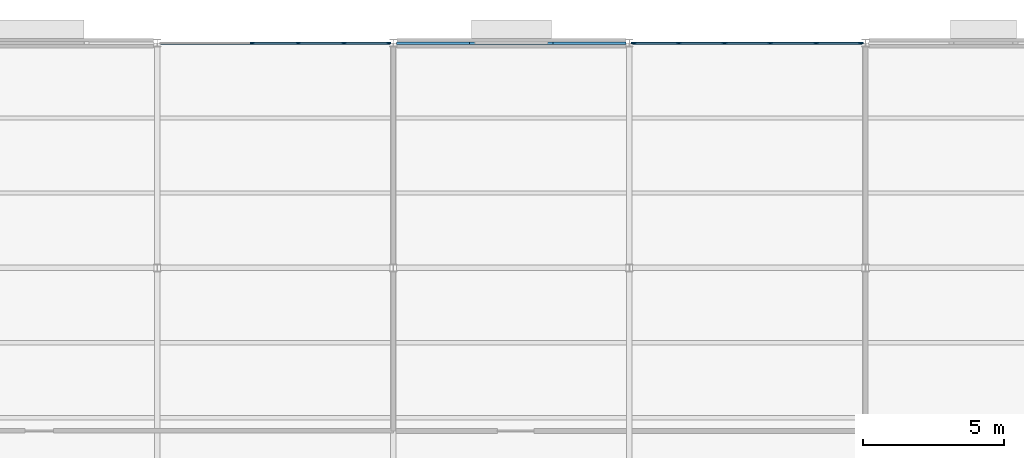
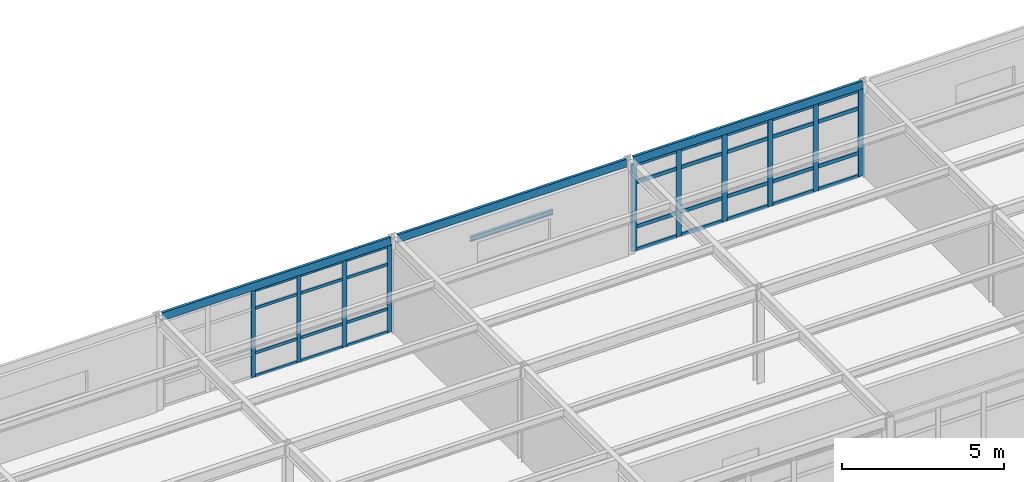
# One storey, part 31 of 53: 42 members, 4 beams, 2 elements without a shape of their own.
"""IFC4 building model written with IfcOpenShell, lengths in metres."""

from ifc_helpers import new_model, si_unit, direction, frame, origin, origin_2d, place, context, subcontext, project, spatial, rectangle, i_section, u_section, extrude, material, layer, layer_set, material_profile, profile_set, type_object, element, aggregate, save


model = new_model("IFC4")

# Units and contexts
model_context = context("Model", 3, precision=1e-05, world=origin(), true_north=direction((0.0, 1.0)))
body_context = subcontext(model_context, "Body", "Model", "MODEL_VIEW")
ifc_project = project(units=[si_unit("LENGTHUNIT", "METRE"), si_unit("AREAUNIT", "SQUARE_METRE"), si_unit("VOLUMEUNIT", "CUBIC_METRE"), si_unit("PLANEANGLEUNIT", "RADIAN"), si_unit("MASSUNIT", "GRAM", prefix="KILO")], contexts=[model_context])

# Site, building, storey
site_placement = place(None, origin())
site = spatial("IfcSite", under=ifc_project, at=site_placement, CompositionType="ELEMENT")
building_placement = place(site_placement, origin())
building = spatial("IfcBuilding", under=site, at=building_placement, Name="Kranzveld Transit Interchange", CompositionType="ELEMENT")
storey_placement = place(building_placement, frame((0.0, 0.0, 13.360107421875)))
storey = spatial("IfcBuildingStorey", under=building, at=storey_placement, Name="L03", CompositionType="ELEMENT", Elevation=13.360107421875)

# Curtain wall, members
ifc_material_1 = material(Name="Bronze-anodised thermally broken aluminium", Category="aluminium")
ifc_layer_1 = layer(ifc_material_1, 0.14990234375)
ifc_layer_set_1 = layer_set([ifc_layer_1], Name="Bronze-anodised thermally broken aluminium")
curtain_wall_type_1 = type_object("IfcCurtainWallType", Name="Public Passage Clerestory Screen CW-4", PredefinedType="USERDEFINED", material=ifc_layer_set_1)
curtain_wall_1_placement = place(storey_placement, origin())
curtain_wall_1 = element("IfcCurtainWall", 1, at=curtain_wall_1_placement, inside=storey, type_object=curtain_wall_type_1, Name="L03 Curtain Wall 16/Q-17/Q", ObjectType="CURTAIN WALL", PredefinedType="USERDEFINED")
ifc_material_2 = material(Name="Bronze-anodised thermally broken aluminium", Category="aluminium")
ifc_material_profile_1 = material_profile(ifc_material_2, rectangle(XDim=0.06005859375, YDim=0.14990234375, at=origin_2d()), Name="ALU MULLION 60x150")
ifc_profile_set_1 = profile_set([ifc_material_profile_1], Name="Bronze-anodised thermally broken aluminium")
member_type_1 = type_object("IfcMemberType", Name="Curtain Wall Mullion 60x150 Alu", PredefinedType="MULLION", material=ifc_profile_set_1)
member_1_placement = place(storey_placement, frame((129.385498046875, 112.0, 0.0), z_axis=(0.0, 0.0, 1.0), x_axis=(0.0, 1.0, 0.0)))
member_1 = element("IfcMember", 2, at=member_1_placement, type_object=member_type_1, Name="CW-4 mullion 3", PredefinedType="MULLION", context=body_context, shape_type="SweptSolid", body=[
    extrude(rectangle(XDim=0.06005859375, YDim=0.14990234375, at=origin_2d()), origin(), (0.0, 0.0, 1.0), 3.27978515625),
])
member_2_placement = place(storey_placement, frame((131.014404296875, 112.0, 0.0), z_axis=(0.0, 0.0, 1.0), x_axis=(0.0, 1.0, 0.0)))
member_2 = element("IfcMember", 3, at=member_2_placement, type_object=member_type_1, Name="CW-4 mullion 4", PredefinedType="MULLION", context=body_context, shape_type="SweptSolid", body=[
    extrude(rectangle(XDim=0.06005859375, YDim=0.14990234375, at=origin_2d()), origin(), (0.0, 0.0, 1.0), 3.27978515625),
])
member_3_placement = place(storey_placement, frame((132.64306640625, 112.0, 0.0), z_axis=(0.0, 0.0, 1.0), x_axis=(0.0, 1.0, 0.0)))
member_3 = element("IfcMember", 4, at=member_3_placement, type_object=member_type_1, Name="CW-4 mullion 5", PredefinedType="MULLION", context=body_context, shape_type="SweptSolid", body=[
    extrude(rectangle(XDim=0.06005859375, YDim=0.14990234375, at=origin_2d()), origin(), (0.0, 0.0, 1.0), 3.27978515625),
])
member_4_placement = place(storey_placement, frame((134.241943359375, 112.0, 0.0), z_axis=(0.0, 0.0, 1.0), x_axis=(0.0, 1.0, 0.0)))
member_4 = element("IfcMember", 5, at=member_4_placement, type_object=member_type_1, Name="CW-4 mullion 6", PredefinedType="MULLION", context=body_context, shape_type="SweptSolid", body=[
    extrude(rectangle(XDim=0.06005859375, YDim=0.14990234375, at=origin_2d()), origin(), (0.0, 0.0, 1.0), 3.27978515625),
])

ifc_material_3 = material(Name="Bronze-anodised thermally broken aluminium", Category="aluminium")
ifc_layer_2 = layer(ifc_material_3, 0.18505859375)
ifc_layer_set_2 = layer_set([ifc_layer_2], Name="Bronze-anodised thermally broken aluminium")
curtain_wall_type_2 = type_object("IfcCurtainWallType", Name="Control Crown Observation Facade CW-5", PredefinedType="USERDEFINED", material=ifc_layer_set_2)
curtain_wall_2_placement = place(storey_placement, origin())
curtain_wall_2 = element("IfcCurtainWall", 6, at=curtain_wall_2_placement, inside=storey, type_object=curtain_wall_type_2, Name="L03 Curtain Wall 18/Q-19/Q", ObjectType="CURTAIN WALL", PredefinedType="USERDEFINED")
ifc_material_4 = material(Name="Bronze-anodised thermally broken aluminium", Category="aluminium")
ifc_material_profile_2 = material_profile(ifc_material_4, rectangle(XDim=0.06494140625, YDim=0.179931640625, at=origin_2d()), Name="ALU MULLION 65x180")
ifc_profile_set_2 = profile_set([ifc_material_profile_2], Name="Bronze-anodised thermally broken aluminium")
member_type_2 = type_object("IfcMemberType", Name="Curtain Wall Mullion 65x180 Alu", PredefinedType="MULLION", material=ifc_profile_set_2)
member_5_placement = place(storey_placement, frame((142.960693359375, 112.0, 0.0), z_axis=(0.0, 0.0, 1.0), x_axis=(0.0, 1.0, 0.0)))
member_5 = element("IfcMember", 7, at=member_5_placement, type_object=member_type_2, Name="CW-5 mullion 1", PredefinedType="MULLION", context=body_context, shape_type="SweptSolid", body=[
    extrude(rectangle(XDim=0.06494140625, YDim=0.179931640625, at=origin_2d()), origin(), (0.0, 0.0, 1.0), 3.27978515625),
])
member_6_placement = place(storey_placement, frame((144.556884765625, 112.0, 0.0), z_axis=(0.0, 0.0, 1.0), x_axis=(0.0, 1.0, 0.0)))
member_6 = element("IfcMember", 8, at=member_6_placement, type_object=member_type_2, Name="CW-5 mullion 2", PredefinedType="MULLION", context=body_context, shape_type="SweptSolid", body=[
    extrude(rectangle(XDim=0.06494140625, YDim=0.179931640625, at=origin_2d()), origin(), (0.0, 0.0, 1.0), 3.27978515625),
])
member_7_placement = place(storey_placement, frame((146.185546875, 112.0, 0.0), z_axis=(0.0, 0.0, 1.0), x_axis=(0.0, 1.0, 0.0)))
member_7 = element("IfcMember", 9, at=member_7_placement, type_object=member_type_2, Name="CW-5 mullion 3", PredefinedType="MULLION", context=body_context, shape_type="SweptSolid", body=[
    extrude(rectangle(XDim=0.06494140625, YDim=0.179931640625, at=origin_2d()), origin(), (0.0, 0.0, 1.0), 3.27978515625),
])
member_8_placement = place(storey_placement, frame((147.814453125, 112.0, 0.0), z_axis=(0.0, 0.0, 1.0), x_axis=(0.0, 1.0, 0.0)))
member_8 = element("IfcMember", 10, at=member_8_placement, type_object=member_type_2, Name="CW-5 mullion 4", PredefinedType="MULLION", context=body_context, shape_type="SweptSolid", body=[
    extrude(rectangle(XDim=0.06494140625, YDim=0.179931640625, at=origin_2d()), origin(), (0.0, 0.0, 1.0), 3.27978515625),
])
member_9_placement = place(storey_placement, frame((149.443115234375, 112.0, 0.0), z_axis=(0.0, 0.0, 1.0), x_axis=(0.0, 1.0, 0.0)))
member_9 = element("IfcMember", 11, at=member_9_placement, type_object=member_type_2, Name="CW-5 mullion 5", PredefinedType="MULLION", context=body_context, shape_type="SweptSolid", body=[
    extrude(rectangle(XDim=0.06494140625, YDim=0.179931640625, at=origin_2d()), origin(), (0.0, 0.0, 1.0), 3.27978515625),
])
member_10_placement = place(storey_placement, frame((151.039306640625, 112.0, 0.0), z_axis=(0.0, 0.0, 1.0), x_axis=(0.0, 1.0, 0.0)))
member_10 = element("IfcMember", 12, at=member_10_placement, type_object=member_type_2, Name="CW-5 mullion 6", PredefinedType="MULLION", context=body_context, shape_type="SweptSolid", body=[
    extrude(rectangle(XDim=0.06494140625, YDim=0.179931640625, at=origin_2d()), origin(), (0.0, 0.0, 1.0), 3.27978515625),
])

# Member
ifc_material_5 = material(Name="Bronze-anodised thermally broken aluminium", Category="aluminium")
ifc_material_profile_3 = material_profile(ifc_material_5, rectangle(XDim=0.06005859375, YDim=0.110107421875, at=origin_2d()), Name="ALU TRANSOM 60x110")
ifc_profile_set_3 = profile_set([ifc_material_profile_3], Name="Bronze-anodised thermally broken aluminium")
member_type_3 = type_object("IfcMemberType", Name="Curtain Wall Transom 60x110 Alu", PredefinedType="USERDEFINED", material=ifc_profile_set_3)
member_11_placement = place(storey_placement, frame((129.41552734375, 112.0, 0.02978515625), z_axis=(1.0, 0.0, 0.0), x_axis=(0.0, 1.0, 0.0)))
member_11 = element("IfcMember", 13, at=member_11_placement, type_object=member_type_3, Name="CW-4 transom 3.1", ObjectType="TRANSOM", PredefinedType="USERDEFINED", context=body_context, shape_type="SweptSolid", body=[
    extrude(rectangle(XDim=0.06005859375, YDim=0.110107421875, at=origin_2d()), origin(), (0.0, 0.0, 1.0), 1.56884765625),
])

member_12_placement = place(storey_placement, frame((129.41552734375, 112.0, 0.89990234375), z_axis=(1.0, 0.0, 0.0), x_axis=(0.0, 1.0, 0.0)))
member_12 = element("IfcMember", 14, at=member_12_placement, type_object=member_type_3, Name="CW-4 transom 3.2", ObjectType="TRANSOM", PredefinedType="USERDEFINED", context=body_context, shape_type="SweptSolid", body=[
    extrude(rectangle(XDim=0.06005859375, YDim=0.110107421875, at=origin_2d()), origin(), (0.0, 0.0, 1.0), 1.56884765625),
])

member_13_placement = place(storey_placement, frame((129.41552734375, 112.0, 2.579833984375), z_axis=(1.0, 0.0, 0.0), x_axis=(0.0, 1.0, 0.0)))
member_13 = element("IfcMember", 15, at=member_13_placement, type_object=member_type_3, Name="CW-4 transom 3.3", ObjectType="TRANSOM", PredefinedType="USERDEFINED", context=body_context, shape_type="SweptSolid", body=[
    extrude(rectangle(XDim=0.06005859375, YDim=0.110107421875, at=origin_2d()), origin(), (0.0, 0.0, 1.0), 1.56884765625),
])

member_14_placement = place(storey_placement, frame((129.41552734375, 112.0, 3.25), z_axis=(1.0, 0.0, 0.0), x_axis=(0.0, 1.0, 0.0)))
member_14 = element("IfcMember", 16, at=member_14_placement, type_object=member_type_3, Name="CW-4 transom 3.4", ObjectType="TRANSOM", PredefinedType="USERDEFINED", context=body_context, shape_type="SweptSolid", body=[
    extrude(rectangle(XDim=0.06005859375, YDim=0.110107421875, at=origin_2d()), origin(), (0.0, 0.0, 1.0), 1.56884765625),
])

member_15_placement = place(storey_placement, frame((131.04443359375, 112.0, 0.02978515625), z_axis=(1.0, 0.0, 0.0), x_axis=(0.0, 1.0, 0.0)))
member_15 = element("IfcMember", 17, at=member_15_placement, type_object=member_type_3, Name="CW-4 transom 4.1", ObjectType="TRANSOM", PredefinedType="USERDEFINED", context=body_context, shape_type="SweptSolid", body=[
    extrude(rectangle(XDim=0.06005859375, YDim=0.110107421875, at=origin_2d()), origin(), (0.0, 0.0, 1.0), 1.568603515625),
])

member_16_placement = place(storey_placement, frame((131.04443359375, 112.0, 0.89990234375), z_axis=(1.0, 0.0, 0.0), x_axis=(0.0, 1.0, 0.0)))
member_16 = element("IfcMember", 18, at=member_16_placement, type_object=member_type_3, Name="CW-4 transom 4.2", ObjectType="TRANSOM", PredefinedType="USERDEFINED", context=body_context, shape_type="SweptSolid", body=[
    extrude(rectangle(XDim=0.06005859375, YDim=0.110107421875, at=origin_2d()), origin(), (0.0, 0.0, 1.0), 1.568603515625),
])

member_17_placement = place(storey_placement, frame((131.04443359375, 112.0, 2.579833984375), z_axis=(1.0, 0.0, 0.0), x_axis=(0.0, 1.0, 0.0)))
member_17 = element("IfcMember", 19, at=member_17_placement, type_object=member_type_3, Name="CW-4 transom 4.3", ObjectType="TRANSOM", PredefinedType="USERDEFINED", context=body_context, shape_type="SweptSolid", body=[
    extrude(rectangle(XDim=0.06005859375, YDim=0.110107421875, at=origin_2d()), origin(), (0.0, 0.0, 1.0), 1.568603515625),
])

member_18_placement = place(storey_placement, frame((131.04443359375, 112.0, 3.25), z_axis=(1.0, 0.0, 0.0), x_axis=(0.0, 1.0, 0.0)))
member_18 = element("IfcMember", 20, at=member_18_placement, type_object=member_type_3, Name="CW-4 transom 4.4", ObjectType="TRANSOM", PredefinedType="USERDEFINED", context=body_context, shape_type="SweptSolid", body=[
    extrude(rectangle(XDim=0.06005859375, YDim=0.110107421875, at=origin_2d()), origin(), (0.0, 0.0, 1.0), 1.568603515625),
])

member_19_placement = place(storey_placement, frame((132.673095703125, 112.0, 0.02978515625), z_axis=(1.0, 0.0, 0.0), x_axis=(0.0, 1.0, 0.0)))
member_19 = element("IfcMember", 21, at=member_19_placement, type_object=member_type_3, Name="CW-4 transom 5.1", ObjectType="TRANSOM", PredefinedType="USERDEFINED", context=body_context, shape_type="SweptSolid", body=[
    extrude(rectangle(XDim=0.06005859375, YDim=0.110107421875, at=origin_2d()), origin(), (0.0, 0.0, 1.0), 1.538818359375),
])

member_20_placement = place(storey_placement, frame((132.673095703125, 112.0, 0.89990234375), z_axis=(1.0, 0.0, 0.0), x_axis=(0.0, 1.0, 0.0)))
member_20 = element("IfcMember", 22, at=member_20_placement, type_object=member_type_3, Name="CW-4 transom 5.2", ObjectType="TRANSOM", PredefinedType="USERDEFINED", context=body_context, shape_type="SweptSolid", body=[
    extrude(rectangle(XDim=0.06005859375, YDim=0.110107421875, at=origin_2d()), origin(), (0.0, 0.0, 1.0), 1.538818359375),
])

member_21_placement = place(storey_placement, frame((132.673095703125, 112.0, 2.579833984375), z_axis=(1.0, 0.0, 0.0), x_axis=(0.0, 1.0, 0.0)))
member_21 = element("IfcMember", 23, at=member_21_placement, type_object=member_type_3, Name="CW-4 transom 5.3", ObjectType="TRANSOM", PredefinedType="USERDEFINED", context=body_context, shape_type="SweptSolid", body=[
    extrude(rectangle(XDim=0.06005859375, YDim=0.110107421875, at=origin_2d()), origin(), (0.0, 0.0, 1.0), 1.538818359375),
])

member_22_placement = place(storey_placement, frame((132.673095703125, 112.0, 3.25), z_axis=(1.0, 0.0, 0.0), x_axis=(0.0, 1.0, 0.0)))
member_22 = element("IfcMember", 24, at=member_22_placement, type_object=member_type_3, Name="CW-4 transom 5.4", ObjectType="TRANSOM", PredefinedType="USERDEFINED", context=body_context, shape_type="SweptSolid", body=[
    extrude(rectangle(XDim=0.06005859375, YDim=0.110107421875, at=origin_2d()), origin(), (0.0, 0.0, 1.0), 1.538818359375),
])

aggregate(curtain_wall_1, [member_1, member_2, member_3, member_4, member_11, member_12, member_13, member_14, member_15, member_16, member_17, member_18, member_19, member_20, member_21, member_22])

ifc_material_6 = material(Name="Bronze-anodised thermally broken aluminium", Category="aluminium")
ifc_material_profile_4 = material_profile(ifc_material_6, rectangle(XDim=0.06494140625, YDim=0.139892578125, at=origin_2d()), Name="ALU TRANSOM 65x140")
ifc_profile_set_4 = profile_set([ifc_material_profile_4], Name="Bronze-anodised thermally broken aluminium")
member_type_4 = type_object("IfcMemberType", Name="Curtain Wall Transom 65x140 Alu", PredefinedType="USERDEFINED", material=ifc_profile_set_4)
member_23_placement = place(storey_placement, frame((142.9931640625, 112.0, 0.032470703125), z_axis=(1.0, 0.0, 0.0), x_axis=(0.0, 1.0, 0.0)))
member_23 = element("IfcMember", 25, at=member_23_placement, type_object=member_type_4, Name="CW-5 transom 1.1", ObjectType="TRANSOM", PredefinedType="USERDEFINED", context=body_context, shape_type="SweptSolid", body=[
    extrude(rectangle(XDim=0.06494140625, YDim=0.139892578125, at=origin_2d()), origin(), (0.0, 0.0, 1.0), 1.53125),
])

member_24_placement = place(storey_placement, frame((142.9931640625, 112.0, 0.89990234375), z_axis=(1.0, 0.0, 0.0), x_axis=(0.0, 1.0, 0.0)))
member_24 = element("IfcMember", 26, at=member_24_placement, type_object=member_type_4, Name="CW-5 transom 1.2", ObjectType="TRANSOM", PredefinedType="USERDEFINED", context=body_context, shape_type="SweptSolid", body=[
    extrude(rectangle(XDim=0.06494140625, YDim=0.139892578125, at=origin_2d()), origin(), (0.0, 0.0, 1.0), 1.53125),
])

member_25_placement = place(storey_placement, frame((142.9931640625, 112.0, 2.579833984375), z_axis=(1.0, 0.0, 0.0), x_axis=(0.0, 1.0, 0.0)))
member_25 = element("IfcMember", 27, at=member_25_placement, type_object=member_type_4, Name="CW-5 transom 1.3", ObjectType="TRANSOM", PredefinedType="USERDEFINED", context=body_context, shape_type="SweptSolid", body=[
    extrude(rectangle(XDim=0.06494140625, YDim=0.139892578125, at=origin_2d()), origin(), (0.0, 0.0, 1.0), 1.53125),
])

member_26_placement = place(storey_placement, frame((142.9931640625, 112.0, 3.247314453125), z_axis=(1.0, 0.0, 0.0), x_axis=(0.0, 1.0, 0.0)))
member_26 = element("IfcMember", 28, at=member_26_placement, type_object=member_type_4, Name="CW-5 transom 1.4", ObjectType="TRANSOM", PredefinedType="USERDEFINED", context=body_context, shape_type="SweptSolid", body=[
    extrude(rectangle(XDim=0.06494140625, YDim=0.139892578125, at=origin_2d()), origin(), (0.0, 0.0, 1.0), 1.53125),
])

member_27_placement = place(storey_placement, frame((144.58935546875, 112.0, 0.032470703125), z_axis=(1.0, 0.0, 0.0), x_axis=(0.0, 1.0, 0.0)))
member_27 = element("IfcMember", 29, at=member_27_placement, type_object=member_type_4, Name="CW-5 transom 2.1", ObjectType="TRANSOM", PredefinedType="USERDEFINED", context=body_context, shape_type="SweptSolid", body=[
    extrude(rectangle(XDim=0.06494140625, YDim=0.139892578125, at=origin_2d()), origin(), (0.0, 0.0, 1.0), 1.563720703125),
])

member_28_placement = place(storey_placement, frame((144.58935546875, 112.0, 0.89990234375), z_axis=(1.0, 0.0, 0.0), x_axis=(0.0, 1.0, 0.0)))
member_28 = element("IfcMember", 30, at=member_28_placement, type_object=member_type_4, Name="CW-5 transom 2.2", ObjectType="TRANSOM", PredefinedType="USERDEFINED", context=body_context, shape_type="SweptSolid", body=[
    extrude(rectangle(XDim=0.06494140625, YDim=0.139892578125, at=origin_2d()), origin(), (0.0, 0.0, 1.0), 1.563720703125),
])

member_29_placement = place(storey_placement, frame((144.58935546875, 112.0, 2.579833984375), z_axis=(1.0, 0.0, 0.0), x_axis=(0.0, 1.0, 0.0)))
member_29 = element("IfcMember", 31, at=member_29_placement, type_object=member_type_4, Name="CW-5 transom 2.3", ObjectType="TRANSOM", PredefinedType="USERDEFINED", context=body_context, shape_type="SweptSolid", body=[
    extrude(rectangle(XDim=0.06494140625, YDim=0.139892578125, at=origin_2d()), origin(), (0.0, 0.0, 1.0), 1.563720703125),
])

member_30_placement = place(storey_placement, frame((144.58935546875, 112.0, 3.247314453125), z_axis=(1.0, 0.0, 0.0), x_axis=(0.0, 1.0, 0.0)))
member_30 = element("IfcMember", 32, at=member_30_placement, type_object=member_type_4, Name="CW-5 transom 2.4", ObjectType="TRANSOM", PredefinedType="USERDEFINED", context=body_context, shape_type="SweptSolid", body=[
    extrude(rectangle(XDim=0.06494140625, YDim=0.139892578125, at=origin_2d()), origin(), (0.0, 0.0, 1.0), 1.563720703125),
])

member_31_placement = place(storey_placement, frame((146.218017578125, 112.0, 0.032470703125), z_axis=(1.0, 0.0, 0.0), x_axis=(0.0, 1.0, 0.0)))
member_31 = element("IfcMember", 33, at=member_31_placement, type_object=member_type_4, Name="CW-5 transom 3.1", ObjectType="TRANSOM", PredefinedType="USERDEFINED", context=body_context, shape_type="SweptSolid", body=[
    extrude(rectangle(XDim=0.06494140625, YDim=0.139892578125, at=origin_2d()), origin(), (0.0, 0.0, 1.0), 1.56396484375),
])

member_32_placement = place(storey_placement, frame((146.218017578125, 112.0, 0.89990234375), z_axis=(1.0, 0.0, 0.0), x_axis=(0.0, 1.0, 0.0)))
member_32 = element("IfcMember", 34, at=member_32_placement, type_object=member_type_4, Name="CW-5 transom 3.2", ObjectType="TRANSOM", PredefinedType="USERDEFINED", context=body_context, shape_type="SweptSolid", body=[
    extrude(rectangle(XDim=0.06494140625, YDim=0.139892578125, at=origin_2d()), origin(), (0.0, 0.0, 1.0), 1.56396484375),
])

member_33_placement = place(storey_placement, frame((146.218017578125, 112.0, 2.579833984375), z_axis=(1.0, 0.0, 0.0), x_axis=(0.0, 1.0, 0.0)))
member_33 = element("IfcMember", 35, at=member_33_placement, type_object=member_type_4, Name="CW-5 transom 3.3", ObjectType="TRANSOM", PredefinedType="USERDEFINED", context=body_context, shape_type="SweptSolid", body=[
    extrude(rectangle(XDim=0.06494140625, YDim=0.139892578125, at=origin_2d()), origin(), (0.0, 0.0, 1.0), 1.56396484375),
])

member_34_placement = place(storey_placement, frame((146.218017578125, 112.0, 3.247314453125), z_axis=(1.0, 0.0, 0.0), x_axis=(0.0, 1.0, 0.0)))
member_34 = element("IfcMember", 36, at=member_34_placement, type_object=member_type_4, Name="CW-5 transom 3.4", ObjectType="TRANSOM", PredefinedType="USERDEFINED", context=body_context, shape_type="SweptSolid", body=[
    extrude(rectangle(XDim=0.06494140625, YDim=0.139892578125, at=origin_2d()), origin(), (0.0, 0.0, 1.0), 1.56396484375),
])

member_35_placement = place(storey_placement, frame((147.846923828125, 112.0, 0.032470703125), z_axis=(1.0, 0.0, 0.0), x_axis=(0.0, 1.0, 0.0)))
member_35 = element("IfcMember", 37, at=member_35_placement, type_object=member_type_4, Name="CW-5 transom 4.1", ObjectType="TRANSOM", PredefinedType="USERDEFINED", context=body_context, shape_type="SweptSolid", body=[
    extrude(rectangle(XDim=0.06494140625, YDim=0.139892578125, at=origin_2d()), origin(), (0.0, 0.0, 1.0), 1.563720703125),
])

member_36_placement = place(storey_placement, frame((147.846923828125, 112.0, 0.89990234375), z_axis=(1.0, 0.0, 0.0), x_axis=(0.0, 1.0, 0.0)))
member_36 = element("IfcMember", 38, at=member_36_placement, type_object=member_type_4, Name="CW-5 transom 4.2", ObjectType="TRANSOM", PredefinedType="USERDEFINED", context=body_context, shape_type="SweptSolid", body=[
    extrude(rectangle(XDim=0.06494140625, YDim=0.139892578125, at=origin_2d()), origin(), (0.0, 0.0, 1.0), 1.563720703125),
])

member_37_placement = place(storey_placement, frame((147.846923828125, 112.0, 2.579833984375), z_axis=(1.0, 0.0, 0.0), x_axis=(0.0, 1.0, 0.0)))
member_37 = element("IfcMember", 39, at=member_37_placement, type_object=member_type_4, Name="CW-5 transom 4.3", ObjectType="TRANSOM", PredefinedType="USERDEFINED", context=body_context, shape_type="SweptSolid", body=[
    extrude(rectangle(XDim=0.06494140625, YDim=0.139892578125, at=origin_2d()), origin(), (0.0, 0.0, 1.0), 1.563720703125),
])

member_38_placement = place(storey_placement, frame((147.846923828125, 112.0, 3.247314453125), z_axis=(1.0, 0.0, 0.0), x_axis=(0.0, 1.0, 0.0)))
member_38 = element("IfcMember", 40, at=member_38_placement, type_object=member_type_4, Name="CW-5 transom 4.4", ObjectType="TRANSOM", PredefinedType="USERDEFINED", context=body_context, shape_type="SweptSolid", body=[
    extrude(rectangle(XDim=0.06494140625, YDim=0.139892578125, at=origin_2d()), origin(), (0.0, 0.0, 1.0), 1.563720703125),
])

member_39_placement = place(storey_placement, frame((149.4755859375, 112.0, 0.032470703125), z_axis=(1.0, 0.0, 0.0), x_axis=(0.0, 1.0, 0.0)))
member_39 = element("IfcMember", 41, at=member_39_placement, type_object=member_type_4, Name="CW-5 transom 5.1", ObjectType="TRANSOM", PredefinedType="USERDEFINED", context=body_context, shape_type="SweptSolid", body=[
    extrude(rectangle(XDim=0.06494140625, YDim=0.139892578125, at=origin_2d()), origin(), (0.0, 0.0, 1.0), 1.53125),
])

member_40_placement = place(storey_placement, frame((149.4755859375, 112.0, 0.89990234375), z_axis=(1.0, 0.0, 0.0), x_axis=(0.0, 1.0, 0.0)))
member_40 = element("IfcMember", 42, at=member_40_placement, type_object=member_type_4, Name="CW-5 transom 5.2", ObjectType="TRANSOM", PredefinedType="USERDEFINED", context=body_context, shape_type="SweptSolid", body=[
    extrude(rectangle(XDim=0.06494140625, YDim=0.139892578125, at=origin_2d()), origin(), (0.0, 0.0, 1.0), 1.53125),
])

member_41_placement = place(storey_placement, frame((149.4755859375, 112.0, 2.579833984375), z_axis=(1.0, 0.0, 0.0), x_axis=(0.0, 1.0, 0.0)))
member_41 = element("IfcMember", 43, at=member_41_placement, type_object=member_type_4, Name="CW-5 transom 5.3", ObjectType="TRANSOM", PredefinedType="USERDEFINED", context=body_context, shape_type="SweptSolid", body=[
    extrude(rectangle(XDim=0.06494140625, YDim=0.139892578125, at=origin_2d()), origin(), (0.0, 0.0, 1.0), 1.53125),
])

member_42_placement = place(storey_placement, frame((149.4755859375, 112.0, 3.247314453125), z_axis=(1.0, 0.0, 0.0), x_axis=(0.0, 1.0, 0.0)))
member_42 = element("IfcMember", 44, at=member_42_placement, type_object=member_type_4, Name="CW-5 transom 5.4", ObjectType="TRANSOM", PredefinedType="USERDEFINED", context=body_context, shape_type="SweptSolid", body=[
    extrude(rectangle(XDim=0.06494140625, YDim=0.139892578125, at=origin_2d()), origin(), (0.0, 0.0, 1.0), 1.53125),
])

aggregate(curtain_wall_2, [member_5, member_6, member_7, member_8, member_9, member_10, member_23, member_24, member_25, member_26, member_27, member_28, member_29, member_30, member_31, member_32, member_33, member_34, member_35, member_36, member_37, member_38, member_39, member_40, member_41, member_42])

# Beams
ifc_material_7 = material(Name="Steel S355JR", Category="steel")
ifc_material_profile_5 = material_profile(ifc_material_7, u_section(Depth=0.300048828125, FlangeWidth=0.090087890625, WebThickness=0.009033203125, FlangeThickness=0.015380859375, FilletRadius=0.011962890625, at=origin_2d()), Name="PFC 300x90x41")
ifc_profile_set_5 = profile_set([ifc_material_profile_5], Name="Steel S355JR")
beam_type_1 = type_object("IfcBeamType", Name="Edge Spandrel PFC 300x90x41 S355JR", PredefinedType="SPANDREL", material=ifc_profile_set_5)
for number, where, z_axis, x_axis, name in (
    (45, (126.1181640625, 112.0, 3.429931640625), (1.0, 0.0, 0.0), (0.0, 1.0, 0.0), "L03 Girder 16-17/Q"),
    (46, (134.51806640625, 112.0, 3.429931640625), (1.0, 0.0, 0.0), (0.0, 1.0, 0.0), "L03 Girder 17-18/Q"),
):
    element("IfcBeam", number, at=place(storey_placement, frame(where, z_axis=z_axis, x_axis=x_axis)), inside=storey, type_object=beam_type_1, Name=name, PredefinedType="SPANDREL", context=body_context, shape_type="SweptSolid", body=[
        extrude(u_section(Depth=0.300048828125, FlangeWidth=0.090087890625, WebThickness=0.009033203125, FlangeThickness=0.015380859375, FilletRadius=0.011962890625, at=origin_2d()), origin(), (0.0, 0.0, 1.0), 8.163818359375),
    ])
beam_1_placement = place(storey_placement, frame((142.918212890625, 112.0, 3.429931640625), z_axis=(1.0, 0.0, 0.0), x_axis=(0.0, 1.0, 0.0)))
element("IfcBeam", 47, at=beam_1_placement, inside=storey, type_object=beam_type_1, Name="L03 Girder 18-19/Q", PredefinedType="SPANDREL", context=body_context, shape_type="SweptSolid", body=[
    extrude(u_section(Depth=0.300048828125, FlangeWidth=0.090087890625, WebThickness=0.009033203125, FlangeThickness=0.015380859375, FilletRadius=0.011962890625, at=origin_2d()), origin(), (0.0, 0.0, 1.0), 8.16357421875),
])
ifc_material_8 = material(Name="Steel S355JR", Category="steel")
ifc_material_profile_6 = material_profile(ifc_material_8, i_section(OverallWidth=0.091064453125, OverallDepth=0.179931640625, WebThickness=0.00537109375, FlangeThickness=0.008056640625, FilletRadius=0.009033203125, at=origin_2d()), Name="IPE 180")
ifc_profile_set_6 = profile_set([ifc_material_profile_6], Name="Steel S355JR")
beam_type_2 = type_object("IfcBeamType", Name="Opening Lintel IPE 180 S355JR", PredefinedType="LINTEL", material=ifc_profile_set_6)
beam_2_placement = place(storey_placement, frame((137.1201171875, 112.0, 2.494873046875), z_axis=(1.0, 0.0, 0.0), x_axis=(0.0, 1.0, 0.0)))
element("IfcBeam", 48, at=beam_2_placement, inside=storey, type_object=beam_type_2, Name="L03 Window Lintel 195", PredefinedType="LINTEL", context=body_context, shape_type="SweptSolid", body=[
    extrude(i_section(OverallWidth=0.091064453125, OverallDepth=0.179931640625, WebThickness=0.00537109375, FlangeThickness=0.008056640625, FilletRadius=0.009033203125, at=origin_2d()), origin(), (0.0, 0.0, 1.0), 2.9599609375),
])

save(model, "model.ifc")
